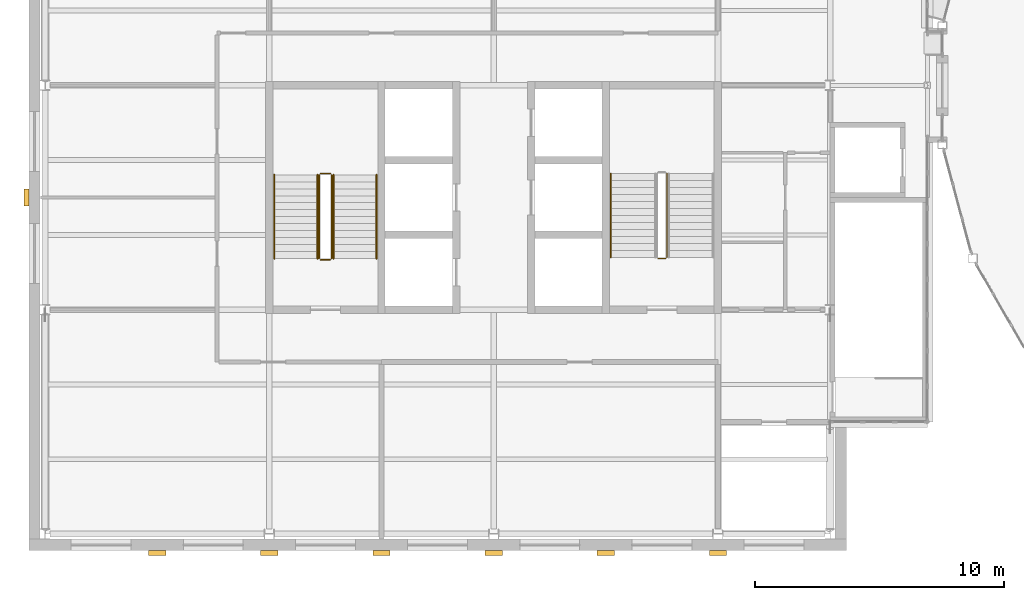
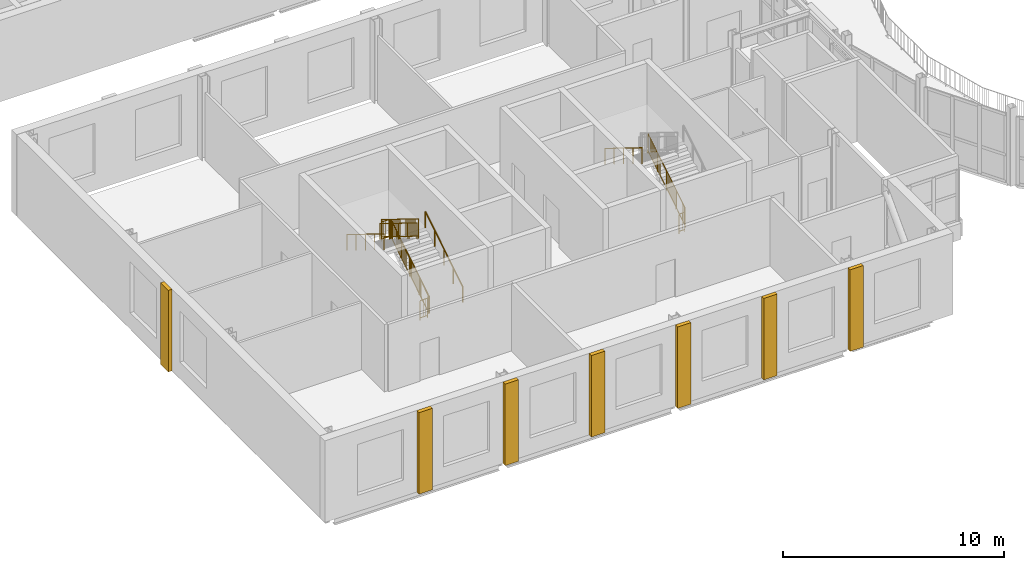
# One storey, part 62 of 74: 11 railings, 7 coverings.
"""IFC4 building model written with IfcOpenShell, lengths in metres."""

from ifc_helpers import new_model, si_unit, direction, frame, origin, origin_2d, place, context, subcontext, project, spatial, rectangle, circle, extrude, material, layer, layer_set, type_object, element, save


model = new_model("IFC4")

# Units and contexts
model_context = context("Model", 3, precision=1e-05, world=origin(), true_north=direction((0.0, 1.0)))
body_context = subcontext(model_context, "Body", "Model", "MODEL_VIEW")
ifc_project = project(units=[si_unit("LENGTHUNIT", "METRE"), si_unit("AREAUNIT", "SQUARE_METRE"), si_unit("VOLUMEUNIT", "CUBIC_METRE"), si_unit("PLANEANGLEUNIT", "RADIAN"), si_unit("MASSUNIT", "GRAM", prefix="KILO")], contexts=[model_context])

# Site, building, storey
site_placement = place(None, origin())
site = spatial("IfcSite", under=ifc_project, at=site_placement, CompositionType="ELEMENT")
building_placement = place(site_placement, origin())
building = spatial("IfcBuilding", under=site, at=building_placement, Name="Hortulan Conservatory and Botanical Research Centre", CompositionType="ELEMENT")
storey_placement = place(building_placement, frame((0.0, 0.0, 6.0)))
storey = spatial("IfcBuildingStorey", under=building, at=storey_placement, Name="L01", CompositionType="ELEMENT", Elevation=6.0)

# Coverings
ifc_material_1 = material(Name="Sandstone masonry (Hawkesbury yellow block)", Category="masonry")
ifc_layer = layer(ifc_material_1, 0.199951171875)
ifc_layer_set = layer_set([ifc_layer], Name="Sandstone Pilaster 700x200")
covering_type = type_object("IfcCoveringType", Name="Sandstone Pilaster 700x200", PredefinedType="CLADDING", material=ifc_layer_set)
for number, where, z_axis, x_axis, name in (
    (1, (27.0, -0.760986328125, 0.0), (0.0, 0.0, 1.0), (-1.0, 0.0, 0.0), "Pier"),
    (2, (22.5, -0.760986328125, 0.0), (0.0, 0.0, 1.0), (-1.0, 0.0, 0.0), "Pier"),
    (3, (18.0, -0.760986328125, 0.0), (0.0, 0.0, 1.0), (-1.0, 0.0, 0.0), "Pier"),
    (4, (13.5, -0.760986328125, 0.0), (0.0, 0.0, 1.0), (-1.0, 0.0, 0.0), "Pier"),
    (5, (9.0, -0.760986328125, 0.0), (0.0, 0.0, 1.0), (-1.0, 0.0, 0.0), "Pier"),
    (6, (4.5, -0.760986328125, 0.0), (0.0, 0.0, 1.0), (-1.0, 0.0, 0.0), "Pier"),
    (7, (-0.75, 13.5, 0.0), (0.0, 0.0, 1.0), (0.0, 1.0, 0.0), "Pier"),
):
    element("IfcCovering", number, at=place(storey_placement, frame(where, z_axis=z_axis, x_axis=x_axis)), inside=storey, type_object=covering_type, Name=name, PredefinedType="CLADDING", context=body_context, shape_type="SweptSolid", body=[
        extrude(rectangle(XDim=0.699951171875, YDim=0.199951171875, at=origin_2d()), origin(), (0.0, 0.0, 1.0), 4.5),
    ])

# Railings
ifc_material_2 = material(Name="Steel balustrade, bronze-charcoal paint", Category="steel")
railing_type_1 = type_object("IfcRailingType", Name="Stair Guard 1100", PredefinedType="GUARDRAIL", material=ifc_material_2)
railing_1_placement = place(storey_placement, frame((11.5, 11.050048828125, 0.173095703125)))
element("IfcRailing", 8, at=railing_1_placement, inside=storey, type_object=railing_type_1, Name="Guard T1 L01 stair 1", PredefinedType="GUARDRAIL", context=body_context, shape_type="SweptSolid", body=[
    extrude(circle(Radius=0.02392578125, at=origin_2d()), frame((0.0, 0.0, 1.076171875), z_axis=(0.0, 0.850606129759, 0.525803396734), x_axis=(-1.0, 0.0, 0.0)), (0.0, 0.0, 1.0), 3.949951171875),
    extrude(circle(Radius=0.02392578125, at=origin_2d()), frame((0.0, 0.0, 0.1240234375), z_axis=(0.0, 0.850606129759, 0.525803396734), x_axis=(-1.0, 0.0, 0.0)), (0.0, 0.0, 1.0), 3.949951171875),
    extrude(circle(Radius=0.008056640625, at=origin_2d()), frame((0.0, 0.09326171875, 0.205810546875)), (0.0, 0.0, 1.0), 0.90380859375),
    extrude(circle(Radius=0.008056640625, at=origin_2d()), frame((0.0, 0.186767578125, 0.263671875)), (0.0, 0.0, 1.0), 0.90380859375),
    extrude(circle(Radius=0.008056640625, at=origin_2d()), frame((0.0, 0.280029296875, 0.3212890625)), (0.0, 0.0, 1.0), 0.90380859375),
    extrude(circle(Radius=0.008056640625, at=origin_2d()), frame((0.0, 0.373291015625, 0.37890625)), (0.0, 0.0, 1.0), 0.90380859375),
    extrude(circle(Radius=0.008056640625, at=origin_2d()), frame((0.0, 0.466552734375, 0.436767578125)), (0.0, 0.0, 1.0), 0.90380859375),
    extrude(circle(Radius=0.008056640625, at=origin_2d()), frame((0.0, 0.56005859375, 0.494384765625)), (0.0, 0.0, 1.0), 0.90380859375),
    extrude(circle(Radius=0.008056640625, at=origin_2d()), frame((0.0, 0.6533203125, 0.552001953125)), (0.0, 0.0, 1.0), 0.90380859375),
    extrude(circle(Radius=0.008056640625, at=origin_2d()), frame((0.0, 0.74658203125, 0.609619140625)), (0.0, 0.0, 1.0), 0.90380859375),
    extrude(circle(Radius=0.008056640625, at=origin_2d()), frame((0.0, 0.83984375, 0.66748046875)), (0.0, 0.0, 1.0), 0.90380859375),
    extrude(circle(Radius=0.008056640625, at=origin_2d()), frame((0.0, 0.933349609375, 0.72509765625)), (0.0, 0.0, 1.0), 0.90380859375),
    extrude(circle(Radius=0.008056640625, at=origin_2d()), frame((0.0, 1.026611328125, 0.78271484375)), (0.0, 0.0, 1.0), 0.90380859375),
    extrude(circle(Radius=0.008056640625, at=origin_2d()), frame((0.0, 1.119873046875, 0.840576171875)), (0.0, 0.0, 1.0), 0.90380859375),
    extrude(circle(Radius=0.008056640625, at=origin_2d()), frame((0.0, 1.21337890625, 0.898193359375)), (0.0, 0.0, 1.0), 0.90380859375),
    extrude(circle(Radius=0.008056640625, at=origin_2d()), frame((0.0, 1.306640625, 0.955810546875)), (0.0, 0.0, 1.0), 0.90380859375),
    extrude(circle(Radius=0.008056640625, at=origin_2d()), frame((0.0, 1.39990234375, 1.013671875)), (0.0, 0.0, 1.0), 0.90380859375),
    extrude(circle(Radius=0.008056640625, at=origin_2d()), frame((0.0, 1.4931640625, 1.0712890625)), (0.0, 0.0, 1.0), 0.90380859375),
    extrude(circle(Radius=0.008056640625, at=origin_2d()), frame((0.0, 1.586669921875, 1.12890625)), (0.0, 0.0, 1.0), 0.90380859375),
    extrude(circle(Radius=0.008056640625, at=origin_2d()), frame((0.0, 1.679931640625, 1.1865234375)), (0.0, 0.0, 1.0), 0.90380859375),
    extrude(circle(Radius=0.008056640625, at=origin_2d()), frame((0.0, 1.773193359375, 1.244384765625)), (0.0, 0.0, 1.0), 0.90380859375),
    extrude(circle(Radius=0.008056640625, at=origin_2d()), frame((0.0, 1.86669921875, 1.302001953125)), (0.0, 0.0, 1.0), 0.90380859375),
    extrude(circle(Radius=0.008056640625, at=origin_2d()), frame((0.0, 1.9599609375, 1.359619140625)), (0.0, 0.0, 1.0), 0.90380859375),
    extrude(circle(Radius=0.008056640625, at=origin_2d()), frame((0.0, 2.05322265625, 1.41748046875)), (0.0, 0.0, 1.0), 0.90380859375),
    extrude(circle(Radius=0.008056640625, at=origin_2d()), frame((0.0, 2.146484375, 1.47509765625)), (0.0, 0.0, 1.0), 0.90380859375),
    extrude(circle(Radius=0.008056640625, at=origin_2d()), frame((0.0, 2.239990234375, 1.53271484375)), (0.0, 0.0, 1.0), 0.90380859375),
    extrude(circle(Radius=0.008056640625, at=origin_2d()), frame((0.0, 2.333251953125, 1.590576171875)), (0.0, 0.0, 1.0), 0.90380859375),
    extrude(circle(Radius=0.008056640625, at=origin_2d()), frame((0.0, 2.426513671875, 1.648193359375)), (0.0, 0.0, 1.0), 0.90380859375),
    extrude(circle(Radius=0.008056640625, at=origin_2d()), frame((0.0, 2.52001953125, 1.705810546875)), (0.0, 0.0, 1.0), 0.90380859375),
    extrude(circle(Radius=0.008056640625, at=origin_2d()), frame((0.0, 2.61328125, 1.763671875)), (0.0, 0.0, 1.0), 0.90380859375),
    extrude(circle(Radius=0.008056640625, at=origin_2d()), frame((0.0, 2.70654296875, 1.8212890625)), (0.0, 0.0, 1.0), 0.90380859375),
    extrude(circle(Radius=0.008056640625, at=origin_2d()), frame((0.0, 2.7998046875, 1.87890625)), (0.0, 0.0, 1.0), 0.90380859375),
    extrude(circle(Radius=0.008056640625, at=origin_2d()), frame((0.0, 2.893310546875, 1.9365234375)), (0.0, 0.0, 1.0), 0.90380859375),
    extrude(circle(Radius=0.008056640625, at=origin_2d()), frame((0.0, 2.986572265625, 1.994384765625)), (0.0, 0.0, 1.0), 0.90380859375),
    extrude(circle(Radius=0.008056640625, at=origin_2d()), frame((0.0, 3.079833984375, 2.052001953125)), (0.0, 0.0, 1.0), 0.90380859375),
    extrude(circle(Radius=0.008056640625, at=origin_2d()), frame((0.0, 3.173095703125, 2.109619140625)), (0.0, 0.0, 1.0), 0.90380859375),
    extrude(circle(Radius=0.008056640625, at=origin_2d()), frame((0.0, 3.2666015625, 2.16748046875)), (0.0, 0.0, 1.0), 0.90380859375),
    extrude(circle(Radius=0.02099609375, at=origin_2d()), origin(), (0.0, 0.0, 1.0), 1.052001953125),
    extrude(circle(Radius=0.02099609375, at=origin_2d()), frame((0.0, 0.83984375, 0.519287109375)), (0.0, 0.0, 1.0), 1.052001953125),
    extrude(circle(Radius=0.02099609375, at=origin_2d()), frame((0.0, 1.679931640625, 1.03857421875)), (0.0, 0.0, 1.0), 1.052001953125),
    extrude(circle(Radius=0.02099609375, at=origin_2d()), frame((0.0, 2.52001953125, 1.5576171875)), (0.0, 0.0, 1.0), 1.052001953125),
    extrude(circle(Radius=0.02099609375, at=origin_2d()), frame((0.0, 3.35986328125, 2.076904296875)), (0.0, 0.0, 1.0), 1.052001953125),
])
railing_2_placement = place(storey_placement, frame((11.449951171875, 14.4599609375, 2.25)))
element("IfcRailing", 9, at=railing_2_placement, inside=storey, type_object=railing_type_1, Name="Guard T1 L01 stair 2", PredefinedType="GUARDRAIL", context=body_context, shape_type="SweptSolid", body=[
    extrude(circle(Radius=0.02392578125, at=origin_2d()), frame((0.0, 0.0, 1.076171875), z_axis=(-1.0, 0.0, 0.0), x_axis=(0.0, -1.0, 0.0)), (0.0, 0.0, 1.0), 0.39990234375),
    extrude(circle(Radius=0.02392578125, at=origin_2d()), frame((0.0, 0.0, 0.1240234375), z_axis=(-1.0, 0.0, 0.0), x_axis=(0.0, -1.0, 0.0)), (0.0, 0.0, 1.0), 0.39990234375),
    extrude(circle(Radius=0.008056640625, at=origin_2d()), frame((-0.10009765625, 0.0, 0.148193359375)), (0.0, 0.0, 1.0), 0.90380859375),
    extrude(circle(Radius=0.008056640625, at=origin_2d()), frame((-0.199951171875, 0.0, 0.148193359375)), (0.0, 0.0, 1.0), 0.90380859375),
    extrude(circle(Radius=0.008056640625, at=origin_2d()), frame((-0.2998046875, 0.0, 0.148193359375)), (0.0, 0.0, 1.0), 0.90380859375),
    extrude(circle(Radius=0.02099609375, at=origin_2d()), origin(), (0.0, 0.0, 1.0), 1.052001953125),
    extrude(circle(Radius=0.02099609375, at=origin_2d()), frame((-0.39990234375, 0.0, 0.0)), (0.0, 0.0, 1.0), 1.052001953125),
])
railing_3_placement = place(storey_placement, frame((11.0, 14.409912109375, 2.423095703125)))
element("IfcRailing", 10, at=railing_3_placement, inside=storey, type_object=railing_type_1, Name="Guard T1 L01 stair 3", PredefinedType="GUARDRAIL", context=body_context, shape_type="SweptSolid", body=[
    extrude(circle(Radius=0.02392578125, at=origin_2d()), frame((0.0, 0.0, 1.076171875), z_axis=(0.0, -0.850606129759, 0.525803396734), x_axis=(1.0, 0.0, 0.0)), (0.0, 0.0, 1.0), 3.949951171875),
    extrude(circle(Radius=0.02392578125, at=origin_2d()), frame((0.0, 0.0, 0.1240234375), z_axis=(0.0, -0.850606129759, 0.525803396734), x_axis=(1.0, 0.0, 0.0)), (0.0, 0.0, 1.0), 3.949951171875),
    extrude(circle(Radius=0.008056640625, at=origin_2d()), frame((0.0, -0.09326171875, 0.205810546875)), (0.0, 0.0, 1.0), 0.90380859375),
    extrude(circle(Radius=0.008056640625, at=origin_2d()), frame((0.0, -0.186767578125, 0.263671875)), (0.0, 0.0, 1.0), 0.90380859375),
    extrude(circle(Radius=0.008056640625, at=origin_2d()), frame((0.0, -0.280029296875, 0.3212890625)), (0.0, 0.0, 1.0), 0.90380859375),
    extrude(circle(Radius=0.008056640625, at=origin_2d()), frame((0.0, -0.373291015625, 0.37890625)), (0.0, 0.0, 1.0), 0.90380859375),
    extrude(circle(Radius=0.008056640625, at=origin_2d()), frame((0.0, -0.466552734375, 0.436767578125)), (0.0, 0.0, 1.0), 0.90380859375),
    extrude(circle(Radius=0.008056640625, at=origin_2d()), frame((0.0, -0.56005859375, 0.494384765625)), (0.0, 0.0, 1.0), 0.90380859375),
    extrude(circle(Radius=0.008056640625, at=origin_2d()), frame((0.0, -0.6533203125, 0.552001953125)), (0.0, 0.0, 1.0), 0.90380859375),
    extrude(circle(Radius=0.008056640625, at=origin_2d()), frame((0.0, -0.74658203125, 0.609619140625)), (0.0, 0.0, 1.0), 0.90380859375),
    extrude(circle(Radius=0.008056640625, at=origin_2d()), frame((0.0, -0.83984375, 0.66748046875)), (0.0, 0.0, 1.0), 0.90380859375),
    extrude(circle(Radius=0.008056640625, at=origin_2d()), frame((0.0, -0.933349609375, 0.72509765625)), (0.0, 0.0, 1.0), 0.90380859375),
    extrude(circle(Radius=0.008056640625, at=origin_2d()), frame((0.0, -1.026611328125, 0.78271484375)), (0.0, 0.0, 1.0), 0.90380859375),
    extrude(circle(Radius=0.008056640625, at=origin_2d()), frame((0.0, -1.119873046875, 0.840576171875)), (0.0, 0.0, 1.0), 0.90380859375),
    extrude(circle(Radius=0.008056640625, at=origin_2d()), frame((0.0, -1.21337890625, 0.898193359375)), (0.0, 0.0, 1.0), 0.90380859375),
    extrude(circle(Radius=0.008056640625, at=origin_2d()), frame((0.0, -1.306640625, 0.955810546875)), (0.0, 0.0, 1.0), 0.90380859375),
    extrude(circle(Radius=0.008056640625, at=origin_2d()), frame((0.0, -1.39990234375, 1.013671875)), (0.0, 0.0, 1.0), 0.90380859375),
    extrude(circle(Radius=0.008056640625, at=origin_2d()), frame((0.0, -1.4931640625, 1.0712890625)), (0.0, 0.0, 1.0), 0.90380859375),
    extrude(circle(Radius=0.008056640625, at=origin_2d()), frame((0.0, -1.586669921875, 1.12890625)), (0.0, 0.0, 1.0), 0.90380859375),
    extrude(circle(Radius=0.008056640625, at=origin_2d()), frame((0.0, -1.679931640625, 1.1865234375)), (0.0, 0.0, 1.0), 0.90380859375),
    extrude(circle(Radius=0.008056640625, at=origin_2d()), frame((0.0, -1.773193359375, 1.244384765625)), (0.0, 0.0, 1.0), 0.90380859375),
    extrude(circle(Radius=0.008056640625, at=origin_2d()), frame((0.0, -1.86669921875, 1.302001953125)), (0.0, 0.0, 1.0), 0.90380859375),
    extrude(circle(Radius=0.008056640625, at=origin_2d()), frame((0.0, -1.9599609375, 1.359619140625)), (0.0, 0.0, 1.0), 0.90380859375),
    extrude(circle(Radius=0.008056640625, at=origin_2d()), frame((0.0, -2.05322265625, 1.41748046875)), (0.0, 0.0, 1.0), 0.90380859375),
    extrude(circle(Radius=0.008056640625, at=origin_2d()), frame((0.0, -2.146484375, 1.47509765625)), (0.0, 0.0, 1.0), 0.90380859375),
    extrude(circle(Radius=0.008056640625, at=origin_2d()), frame((0.0, -2.239990234375, 1.53271484375)), (0.0, 0.0, 1.0), 0.90380859375),
    extrude(circle(Radius=0.008056640625, at=origin_2d()), frame((0.0, -2.333251953125, 1.590576171875)), (0.0, 0.0, 1.0), 0.90380859375),
    extrude(circle(Radius=0.008056640625, at=origin_2d()), frame((0.0, -2.426513671875, 1.648193359375)), (0.0, 0.0, 1.0), 0.90380859375),
    extrude(circle(Radius=0.008056640625, at=origin_2d()), frame((0.0, -2.52001953125, 1.705810546875)), (0.0, 0.0, 1.0), 0.90380859375),
    extrude(circle(Radius=0.008056640625, at=origin_2d()), frame((0.0, -2.61328125, 1.763671875)), (0.0, 0.0, 1.0), 0.90380859375),
    extrude(circle(Radius=0.008056640625, at=origin_2d()), frame((0.0, -2.70654296875, 1.8212890625)), (0.0, 0.0, 1.0), 0.90380859375),
    extrude(circle(Radius=0.008056640625, at=origin_2d()), frame((0.0, -2.7998046875, 1.87890625)), (0.0, 0.0, 1.0), 0.90380859375),
    extrude(circle(Radius=0.008056640625, at=origin_2d()), frame((0.0, -2.893310546875, 1.9365234375)), (0.0, 0.0, 1.0), 0.90380859375),
    extrude(circle(Radius=0.008056640625, at=origin_2d()), frame((0.0, -2.986572265625, 1.994384765625)), (0.0, 0.0, 1.0), 0.90380859375),
    extrude(circle(Radius=0.008056640625, at=origin_2d()), frame((0.0, -3.079833984375, 2.052001953125)), (0.0, 0.0, 1.0), 0.90380859375),
    extrude(circle(Radius=0.008056640625, at=origin_2d()), frame((0.0, -3.173095703125, 2.109619140625)), (0.0, 0.0, 1.0), 0.90380859375),
    extrude(circle(Radius=0.008056640625, at=origin_2d()), frame((0.0, -3.2666015625, 2.16748046875)), (0.0, 0.0, 1.0), 0.90380859375),
    extrude(circle(Radius=0.02099609375, at=origin_2d()), origin(), (0.0, 0.0, 1.0), 1.052001953125),
    extrude(circle(Radius=0.02099609375, at=origin_2d()), frame((0.0, -0.83984375, 0.519287109375)), (0.0, 0.0, 1.0), 1.052001953125),
    extrude(circle(Radius=0.02099609375, at=origin_2d()), frame((0.0, -1.679931640625, 1.03857421875)), (0.0, 0.0, 1.0), 1.052001953125),
    extrude(circle(Radius=0.02099609375, at=origin_2d()), frame((0.0, -2.52001953125, 1.5576171875)), (0.0, 0.0, 1.0), 1.052001953125),
    extrude(circle(Radius=0.02099609375, at=origin_2d()), frame((0.0, -3.35986328125, 2.076904296875)), (0.0, 0.0, 1.0), 1.052001953125),
])
railing_4_placement = place(storey_placement, frame((11.449951171875, 11.0, 0.0)))
element("IfcRailing", 11, at=railing_4_placement, inside=storey, type_object=railing_type_1, Name="Guard T1 L01 stair 4", PredefinedType="GUARDRAIL", context=body_context, shape_type="SweptSolid", body=[
    extrude(circle(Radius=0.02392578125, at=origin_2d()), frame((0.0, 0.0, 1.076171875), z_axis=(-1.0, 0.0, 0.0), x_axis=(0.0, -1.0, 0.0)), (0.0, 0.0, 1.0), 0.39990234375),
    extrude(circle(Radius=0.02392578125, at=origin_2d()), frame((0.0, 0.0, 0.1240234375), z_axis=(-1.0, 0.0, 0.0), x_axis=(0.0, -1.0, 0.0)), (0.0, 0.0, 1.0), 0.39990234375),
    extrude(circle(Radius=0.008056640625, at=origin_2d()), frame((-0.10009765625, 0.0, 0.148193359375)), (0.0, 0.0, 1.0), 0.90380859375),
    extrude(circle(Radius=0.008056640625, at=origin_2d()), frame((-0.199951171875, 0.0, 0.148193359375)), (0.0, 0.0, 1.0), 0.90380859375),
    extrude(circle(Radius=0.008056640625, at=origin_2d()), frame((-0.2998046875, 0.0, 0.148193359375)), (0.0, 0.0, 1.0), 0.90380859375),
    extrude(circle(Radius=0.02099609375, at=origin_2d()), origin(), (0.0, 0.0, 1.0), 1.052001953125),
    extrude(circle(Radius=0.02099609375, at=origin_2d()), frame((-0.39990234375, 0.0, 0.0)), (0.0, 0.0, 1.0), 1.052001953125),
])
railing_5_placement = place(storey_placement, frame((24.949951171875, 11.10009765625, 0.173095703125)))
element("IfcRailing", 12, at=railing_5_placement, inside=storey, type_object=railing_type_1, Name="Guard T2 L01 stair 1", PredefinedType="GUARDRAIL", context=body_context, shape_type="SweptSolid", body=[
    extrude(circle(Radius=0.02392578125, at=origin_2d()), frame((0.0, 0.0, 1.076171875), z_axis=(0.0, 0.850606129759, 0.525803396734), x_axis=(-1.0, 0.0, 0.0)), (0.0, 0.0, 1.0), 3.949951171875),
    extrude(circle(Radius=0.02392578125, at=origin_2d()), frame((0.0, 0.0, 0.1240234375), z_axis=(0.0, 0.850606129759, 0.525803396734), x_axis=(-1.0, 0.0, 0.0)), (0.0, 0.0, 1.0), 3.949951171875),
    extrude(circle(Radius=0.008056640625, at=origin_2d()), frame((0.0, 0.09326171875, 0.205810546875)), (0.0, 0.0, 1.0), 0.90380859375),
    extrude(circle(Radius=0.008056640625, at=origin_2d()), frame((0.0, 0.186767578125, 0.263671875)), (0.0, 0.0, 1.0), 0.90380859375),
    extrude(circle(Radius=0.008056640625, at=origin_2d()), frame((0.0, 0.280029296875, 0.3212890625)), (0.0, 0.0, 1.0), 0.90380859375),
    extrude(circle(Radius=0.008056640625, at=origin_2d()), frame((0.0, 0.373291015625, 0.37890625)), (0.0, 0.0, 1.0), 0.90380859375),
    extrude(circle(Radius=0.008056640625, at=origin_2d()), frame((0.0, 0.466552734375, 0.436767578125)), (0.0, 0.0, 1.0), 0.90380859375),
    extrude(circle(Radius=0.008056640625, at=origin_2d()), frame((0.0, 0.56005859375, 0.494384765625)), (0.0, 0.0, 1.0), 0.90380859375),
    extrude(circle(Radius=0.008056640625, at=origin_2d()), frame((0.0, 0.6533203125, 0.552001953125)), (0.0, 0.0, 1.0), 0.90380859375),
    extrude(circle(Radius=0.008056640625, at=origin_2d()), frame((0.0, 0.74658203125, 0.609619140625)), (0.0, 0.0, 1.0), 0.90380859375),
    extrude(circle(Radius=0.008056640625, at=origin_2d()), frame((0.0, 0.83984375, 0.66748046875)), (0.0, 0.0, 1.0), 0.90380859375),
    extrude(circle(Radius=0.008056640625, at=origin_2d()), frame((0.0, 0.933349609375, 0.72509765625)), (0.0, 0.0, 1.0), 0.90380859375),
    extrude(circle(Radius=0.008056640625, at=origin_2d()), frame((0.0, 1.026611328125, 0.78271484375)), (0.0, 0.0, 1.0), 0.90380859375),
    extrude(circle(Radius=0.008056640625, at=origin_2d()), frame((0.0, 1.119873046875, 0.840576171875)), (0.0, 0.0, 1.0), 0.90380859375),
    extrude(circle(Radius=0.008056640625, at=origin_2d()), frame((0.0, 1.21337890625, 0.898193359375)), (0.0, 0.0, 1.0), 0.90380859375),
    extrude(circle(Radius=0.008056640625, at=origin_2d()), frame((0.0, 1.306640625, 0.955810546875)), (0.0, 0.0, 1.0), 0.90380859375),
    extrude(circle(Radius=0.008056640625, at=origin_2d()), frame((0.0, 1.39990234375, 1.013671875)), (0.0, 0.0, 1.0), 0.90380859375),
    extrude(circle(Radius=0.008056640625, at=origin_2d()), frame((0.0, 1.4931640625, 1.0712890625)), (0.0, 0.0, 1.0), 0.90380859375),
    extrude(circle(Radius=0.008056640625, at=origin_2d()), frame((0.0, 1.586669921875, 1.12890625)), (0.0, 0.0, 1.0), 0.90380859375),
    extrude(circle(Radius=0.008056640625, at=origin_2d()), frame((0.0, 1.679931640625, 1.1865234375)), (0.0, 0.0, 1.0), 0.90380859375),
    extrude(circle(Radius=0.008056640625, at=origin_2d()), frame((0.0, 1.773193359375, 1.244384765625)), (0.0, 0.0, 1.0), 0.90380859375),
    extrude(circle(Radius=0.008056640625, at=origin_2d()), frame((0.0, 1.86669921875, 1.302001953125)), (0.0, 0.0, 1.0), 0.90380859375),
    extrude(circle(Radius=0.008056640625, at=origin_2d()), frame((0.0, 1.9599609375, 1.359619140625)), (0.0, 0.0, 1.0), 0.90380859375),
    extrude(circle(Radius=0.008056640625, at=origin_2d()), frame((0.0, 2.05322265625, 1.41748046875)), (0.0, 0.0, 1.0), 0.90380859375),
    extrude(circle(Radius=0.008056640625, at=origin_2d()), frame((0.0, 2.146484375, 1.47509765625)), (0.0, 0.0, 1.0), 0.90380859375),
    extrude(circle(Radius=0.008056640625, at=origin_2d()), frame((0.0, 2.239990234375, 1.53271484375)), (0.0, 0.0, 1.0), 0.90380859375),
    extrude(circle(Radius=0.008056640625, at=origin_2d()), frame((0.0, 2.333251953125, 1.590576171875)), (0.0, 0.0, 1.0), 0.90380859375),
    extrude(circle(Radius=0.008056640625, at=origin_2d()), frame((0.0, 2.426513671875, 1.648193359375)), (0.0, 0.0, 1.0), 0.90380859375),
    extrude(circle(Radius=0.008056640625, at=origin_2d()), frame((0.0, 2.52001953125, 1.705810546875)), (0.0, 0.0, 1.0), 0.90380859375),
    extrude(circle(Radius=0.008056640625, at=origin_2d()), frame((0.0, 2.61328125, 1.763671875)), (0.0, 0.0, 1.0), 0.90380859375),
    extrude(circle(Radius=0.008056640625, at=origin_2d()), frame((0.0, 2.70654296875, 1.8212890625)), (0.0, 0.0, 1.0), 0.90380859375),
    extrude(circle(Radius=0.008056640625, at=origin_2d()), frame((0.0, 2.7998046875, 1.87890625)), (0.0, 0.0, 1.0), 0.90380859375),
    extrude(circle(Radius=0.008056640625, at=origin_2d()), frame((0.0, 2.893310546875, 1.9365234375)), (0.0, 0.0, 1.0), 0.90380859375),
    extrude(circle(Radius=0.008056640625, at=origin_2d()), frame((0.0, 2.986572265625, 1.994384765625)), (0.0, 0.0, 1.0), 0.90380859375),
    extrude(circle(Radius=0.008056640625, at=origin_2d()), frame((0.0, 3.079833984375, 2.052001953125)), (0.0, 0.0, 1.0), 0.90380859375),
    extrude(circle(Radius=0.008056640625, at=origin_2d()), frame((0.0, 3.173095703125, 2.109619140625)), (0.0, 0.0, 1.0), 0.90380859375),
    extrude(circle(Radius=0.008056640625, at=origin_2d()), frame((0.0, 3.2666015625, 2.16748046875)), (0.0, 0.0, 1.0), 0.90380859375),
    extrude(circle(Radius=0.02099609375, at=origin_2d()), origin(), (0.0, 0.0, 1.0), 1.052001953125),
    extrude(circle(Radius=0.02099609375, at=origin_2d()), frame((0.0, 0.83984375, 0.519287109375)), (0.0, 0.0, 1.0), 1.052001953125),
    extrude(circle(Radius=0.02099609375, at=origin_2d()), frame((0.0, 1.679931640625, 1.03857421875)), (0.0, 0.0, 1.0), 1.052001953125),
    extrude(circle(Radius=0.02099609375, at=origin_2d()), frame((0.0, 2.52001953125, 1.5576171875)), (0.0, 0.0, 1.0), 1.052001953125),
    extrude(circle(Radius=0.02099609375, at=origin_2d()), frame((0.0, 3.35986328125, 2.076904296875)), (0.0, 0.0, 1.0), 1.052001953125),
])
railing_6_placement = place(storey_placement, frame((24.89990234375, 11.050048828125, 0.0)))
element("IfcRailing", 13, at=railing_6_placement, inside=storey, type_object=railing_type_1, Name="Guard T2 L01 stair 4", PredefinedType="GUARDRAIL", context=body_context, shape_type="SweptSolid", body=[
    extrude(circle(Radius=0.02392578125, at=origin_2d()), frame((0.0, 0.0, 1.076171875), z_axis=(-1.0, 0.0, 0.0), x_axis=(0.0, -1.0, 0.0)), (0.0, 0.0, 1.0), 0.2998046875),
    extrude(circle(Radius=0.02392578125, at=origin_2d()), frame((0.0, 0.0, 0.1240234375), z_axis=(-1.0, 0.0, 0.0), x_axis=(0.0, -1.0, 0.0)), (0.0, 0.0, 1.0), 0.2998046875),
    extrude(circle(Radius=0.008056640625, at=origin_2d()), frame((-0.099853515625, 0.0, 0.148193359375)), (0.0, 0.0, 1.0), 0.90380859375),
    extrude(circle(Radius=0.008056640625, at=origin_2d()), frame((-0.199951171875, 0.0, 0.148193359375)), (0.0, 0.0, 1.0), 0.90380859375),
    extrude(circle(Radius=0.02099609375, at=origin_2d()), origin(), (0.0, 0.0, 1.0), 1.052001953125),
    extrude(circle(Radius=0.02099609375, at=origin_2d()), frame((-0.2998046875, 0.0, 0.0)), (0.0, 0.0, 1.0), 1.052001953125),
])
ifc_material_3 = material(Name="Bronze handrail, polished", Category="metal")
railing_type_2 = type_object("IfcRailingType", Name="Stair Handrail 900", PredefinedType="HANDRAIL", material=ifc_material_3)
railing_7_placement = place(storey_placement, frame((13.300048828125, 11.050048828125, 0.173095703125)))
element("IfcRailing", 14, at=railing_7_placement, inside=storey, type_object=railing_type_2, Name="Handrail T1 L01 stair 1", PredefinedType="HANDRAIL", context=body_context, shape_type="SweptSolid", body=[
    extrude(circle(Radius=0.02392578125, at=origin_2d()), frame((0.0, 0.0, 0.8759765625), z_axis=(0.0, 0.850606129759, 0.525803396734), x_axis=(-1.0, 0.0, 0.0)), (0.0, 0.0, 1.0), 3.949951171875),
    extrude(circle(Radius=0.02099609375, at=origin_2d()), origin(), (0.0, 0.0, 1.0), 0.851806640625),
    extrude(circle(Radius=0.02099609375, at=origin_2d()), frame((0.0, 0.83984375, 0.519287109375)), (0.0, 0.0, 1.0), 0.851806640625),
    extrude(circle(Radius=0.02099609375, at=origin_2d()), frame((0.0, 1.679931640625, 1.03857421875)), (0.0, 0.0, 1.0), 0.851806640625),
    extrude(circle(Radius=0.02099609375, at=origin_2d()), frame((0.0, 2.52001953125, 1.5576171875)), (0.0, 0.0, 1.0), 0.851806640625),
    extrude(circle(Radius=0.02099609375, at=origin_2d()), frame((0.0, 3.35986328125, 2.076904296875)), (0.0, 0.0, 1.0), 0.851806640625),
])
railing_8_placement = place(storey_placement, frame((9.199951171875, 14.409912109375, 2.423095703125)))
element("IfcRailing", 15, at=railing_8_placement, inside=storey, type_object=railing_type_2, Name="Handrail T1 L01 stair 2", PredefinedType="HANDRAIL", context=body_context, shape_type="SweptSolid", body=[
    extrude(circle(Radius=0.02392578125, at=origin_2d()), frame((0.0, 0.0, 0.8759765625), z_axis=(0.0, -0.850606129759, 0.525803396734), x_axis=(1.0, 0.0, 0.0)), (0.0, 0.0, 1.0), 3.949951171875),
    extrude(circle(Radius=0.02099609375, at=origin_2d()), origin(), (0.0, 0.0, 1.0), 0.851806640625),
    extrude(circle(Radius=0.02099609375, at=origin_2d()), frame((0.0, -0.83984375, 0.519287109375)), (0.0, 0.0, 1.0), 0.851806640625),
    extrude(circle(Radius=0.02099609375, at=origin_2d()), frame((0.0, -1.679931640625, 1.03857421875)), (0.0, 0.0, 1.0), 0.851806640625),
    extrude(circle(Radius=0.02099609375, at=origin_2d()), frame((0.0, -2.52001953125, 1.5576171875)), (0.0, 0.0, 1.0), 0.851806640625),
    extrude(circle(Radius=0.02099609375, at=origin_2d()), frame((0.0, -3.35986328125, 2.076904296875)), (0.0, 0.0, 1.0), 0.851806640625),
])
railing_9_placement = place(storey_placement, frame((11.570068359375, 11.050048828125, 0.173095703125)))
element("IfcRailing", 16, at=railing_9_placement, inside=storey, type_object=railing_type_2, Name="Handrail T1 L01 stair 3", PredefinedType="HANDRAIL", context=body_context, shape_type="SweptSolid", body=[
    extrude(circle(Radius=0.02392578125, at=origin_2d()), frame((0.0, 0.0, 0.8759765625), z_axis=(0.0, 0.850606129759, 0.525803396734), x_axis=(-1.0, 0.0, 0.0)), (0.0, 0.0, 1.0), 3.949951171875),
    extrude(circle(Radius=0.02099609375, at=origin_2d()), origin(), (0.0, 0.0, 1.0), 0.851806640625),
    extrude(circle(Radius=0.02099609375, at=origin_2d()), frame((0.0, 0.83984375, 0.519287109375)), (0.0, 0.0, 1.0), 0.851806640625),
    extrude(circle(Radius=0.02099609375, at=origin_2d()), frame((0.0, 1.679931640625, 1.03857421875)), (0.0, 0.0, 1.0), 0.851806640625),
    extrude(circle(Radius=0.02099609375, at=origin_2d()), frame((0.0, 2.52001953125, 1.5576171875)), (0.0, 0.0, 1.0), 0.851806640625),
    extrude(circle(Radius=0.02099609375, at=origin_2d()), frame((0.0, 3.35986328125, 2.076904296875)), (0.0, 0.0, 1.0), 0.851806640625),
])
for number, where, name in (
    (17, (10.929931640625, 14.409912109375, 2.423095703125), "Handrail T1 L01 stair 4"),
    (18, (22.699951171875, 14.4599609375, 2.423095703125), "Handrail T2 L01 stair 2"),
):
    element("IfcRailing", number, at=place(storey_placement, frame(where)), inside=storey, type_object=railing_type_2, Name=name, PredefinedType="HANDRAIL", context=body_context, shape_type="SweptSolid", body=[
        extrude(circle(Radius=0.02392578125, at=origin_2d()), frame((0.0, 0.0, 0.8759765625), z_axis=(0.0, -0.850606129759, 0.525803396734), x_axis=(1.0, 0.0, 0.0)), (0.0, 0.0, 1.0), 3.949951171875),
        extrude(circle(Radius=0.02099609375, at=origin_2d()), origin(), (0.0, 0.0, 1.0), 0.851806640625),
        extrude(circle(Radius=0.02099609375, at=origin_2d()), frame((0.0, -0.83984375, 0.519287109375)), (0.0, 0.0, 1.0), 0.851806640625),
        extrude(circle(Radius=0.02099609375, at=origin_2d()), frame((0.0, -1.679931640625, 1.03857421875)), (0.0, 0.0, 1.0), 0.851806640625),
        extrude(circle(Radius=0.02099609375, at=origin_2d()), frame((0.0, -2.52001953125, 1.5576171875)), (0.0, 0.0, 1.0), 0.851806640625),
        extrude(circle(Radius=0.02099609375, at=origin_2d()), frame((0.0, -3.35986328125, 2.076904296875)), (0.0, 0.0, 1.0), 0.851806640625),
    ])

save(model, "model.ifc")
